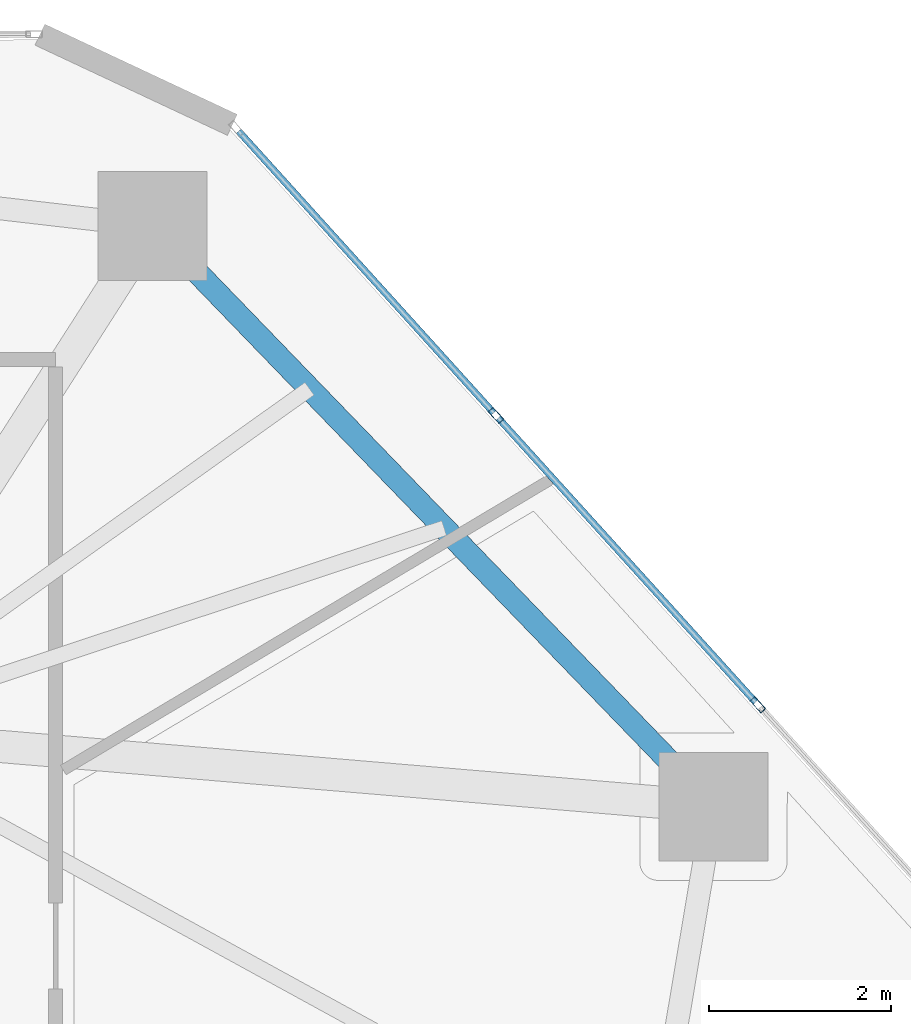
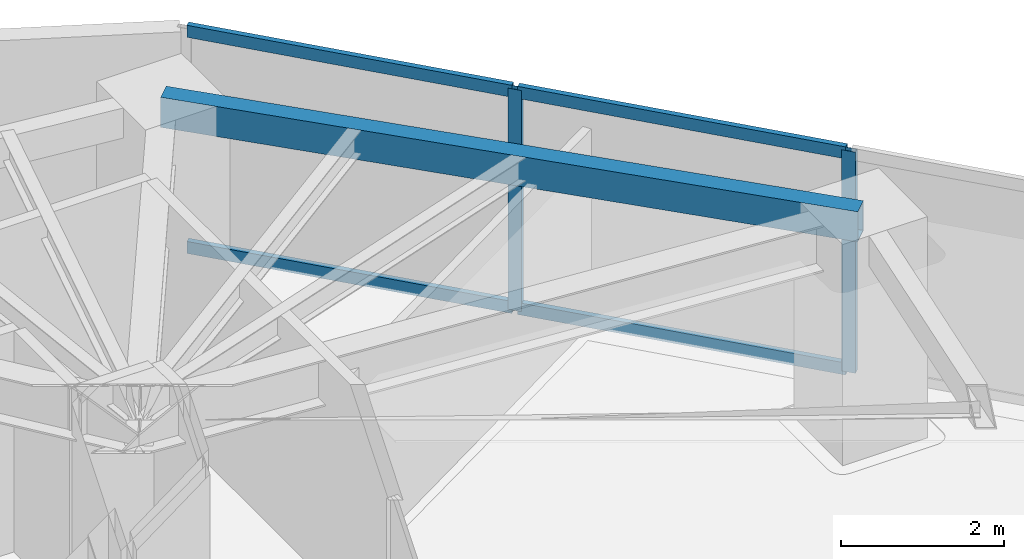
# One storey, part 15 of 21: 6 members, 1 beam, 1 element without a shape of its own.
"""IFC4 building model written with IfcOpenShell, lengths in metres."""

from ifc_helpers import new_model, si_unit, direction, frame, origin, origin_2d, place, context, subcontext, project, spatial, hollow_rectangle, extrude, source, transform, mapped, material, layer, layer_set, material_profile, profile_set, type_object, type_shapes, element, aggregate, save


model = new_model("IFC4")

# Units and contexts
model_context = context("Model", 3, precision=1e-05, world=origin(), true_north=direction((0.0, 1.0)))
body_context = subcontext(model_context, "Body", "Model", "MODEL_VIEW")
ifc_project = project(units=[si_unit("LENGTHUNIT", "METRE"), si_unit("AREAUNIT", "SQUARE_METRE"), si_unit("VOLUMEUNIT", "CUBIC_METRE"), si_unit("PLANEANGLEUNIT", "RADIAN"), si_unit("MASSUNIT", "GRAM", prefix="KILO")], contexts=[model_context])

# Site, building, storey
site_placement = place(None, origin())
site = spatial("IfcSite", under=ifc_project, at=site_placement, CompositionType="ELEMENT")
building_placement = place(site_placement, origin())
building = spatial("IfcBuilding", under=site, at=building_placement, Name="Talar Marvaseh", CompositionType="ELEMENT")
storey_placement = place(building_placement, frame((0.0, 0.0, 93.0)))
storey = spatial("IfcBuildingStorey", under=building, at=storey_placement, Name="L23", CompositionType="ELEMENT", Elevation=93.0)

# Beam
ifc_material_1 = material(Name="Steel S355", Category="steel")
ifc_material_profile_1 = material_profile(ifc_material_1, hollow_rectangle(XDim=0.25, YDim=0.449951171875, WallThickness=0.01611328125, at=origin_2d()), Name="RHS450x250x16")
ifc_profile_set_1 = profile_set([ifc_material_profile_1], Name="Steel S355")
beam_type = type_object("IfcBeamType", Name="Zone 2 Perimeter Spandrel Beam RHS450x250x16", PredefinedType="SPANDREL", material=ifc_profile_set_1)
beam_placement = place(storey_placement, frame((36.865966796875, 42.470947265625, 3.0849609375), z_axis=(0.694796856243, -0.719206040405, 0.0), x_axis=(0.719206040405, 0.694796856243, 0.0)))
element("IfcBeam", 1, at=beam_placement, inside=storey, type_object=beam_type, Name="L23 Zone 2 Perimeter Spandrel Beam RHS450x250x16", PredefinedType="SPANDREL", context=body_context, shape_type="SweptSolid", body=[
    extrude(hollow_rectangle(XDim=0.25, YDim=0.449951171875, WallThickness=0.01611328125, at=origin_2d()), origin(), (0.0, 0.0, 1.0), 8.891845703125),
])

# Curtain wall, members
ifc_material_2 = material(Name="Architectural Aluminium", Category="aluminium")
ifc_layer = layer(ifc_material_2, 0.199951171875)
ifc_layer_set = layer_set([ifc_layer], Name="Architectural Aluminium")
curtain_wall_type = type_object("IfcCurtainWallType", Name="Unitised Acoustic Library Curtain Wall Z2", PredefinedType="NOTDEFINED", material=ifc_layer_set)
curtain_wall_placement = place(storey_placement, origin())
curtain_wall = element("IfcCurtainWall", 2, at=curtain_wall_placement, inside=storey, type_object=curtain_wall_type, Name="L23 Unitised Acoustic Library Curtain Wall Z2", PredefinedType="NOTDEFINED")
ifc_material_profile_2 = material_profile(ifc_material_2, hollow_rectangle(XDim=0.074951171875, YDim=0.179931640625, WallThickness=0.0048828125, at=origin_2d()), Name="RHS180x75x5")
ifc_profile_set_2 = profile_set([ifc_material_profile_2], Name="Architectural Aluminium")
member_type_1 = type_object("IfcMemberType", Name="Unitised Curtain Wall Standard Mullion RHS180x75x5", PredefinedType="MULLION", material=ifc_profile_set_2)
shared_shape_1 = source(origin(), body_context, "Body", "SweptSolid", [
    extrude(hollow_rectangle(XDim=0.074951171875, YDim=0.179931640625, WallThickness=0.0048828125, at=origin_2d()), origin(), (0.0, 0.0, 1.0), 3.31005859375),
])
type_shapes(member_type_1, [shared_shape_1])
member_1_placement = place(storey_placement, frame((40.64892578125, 40.38525390625, 0.0), z_axis=(0.0, 0.0, 1.0), x_axis=(0.741347372116, 0.67112150454, 0.0)))
member_1 = element("IfcMember", 3, at=member_1_placement, type_object=member_type_1, Name="CW-Z2 mullion 2", PredefinedType="MULLION", context=body_context, shape_type="MappedRepresentation", body=[
    mapped(shared_shape_1, transform((0.0, 0.0, 0.0), x_axis=(1.0, 0.0, 0.0), y_axis=(0.0, 1.0, 0.0), z_axis=(0.0, 0.0, 1.0), scale=1.0)),
])
member_2_placement = place(storey_placement, frame((43.533447265625, 37.198974609375, 0.0), z_axis=(0.0, 0.0, 1.0), x_axis=(0.741347372116, 0.67112150454, 0.0)))
member_2 = element("IfcMember", 4, at=member_2_placement, type_object=member_type_1, Name="CW-Z2 mullion 3", PredefinedType="MULLION", context=body_context, shape_type="MappedRepresentation", body=[
    mapped(shared_shape_1, transform((0.0, 0.0, 0.0), x_axis=(1.0, 0.0, 0.0), y_axis=(0.0, 1.0, 0.0), z_axis=(0.0, 0.0, 1.0), scale=1.0)),
])
ifc_material_profile_3 = material_profile(ifc_material_2, hollow_rectangle(XDim=0.074951171875, YDim=0.179931640625, WallThickness=0.0048828125, at=origin_2d()), Name="RHS180x75x5")
ifc_profile_set_3 = profile_set([ifc_material_profile_3], Name="Architectural Aluminium")
member_type_2 = type_object("IfcMemberType", Name="Unitised Curtain Wall Transom RHS180x75x5", PredefinedType="USERDEFINED", material=ifc_profile_set_3)
shared_shape_2 = source(origin(), body_context, "Body", "SweptSolid", [
    extrude(hollow_rectangle(XDim=0.074951171875, YDim=0.179931640625, WallThickness=0.0048828125, at=origin_2d()), origin(), (0.0, 0.0, 1.0), 4.185302734375),
])
member_3_placement = place(storey_placement, frame((37.81494140625, 43.515869140625, 0.03759765625), z_axis=(0.67111797208, -0.741350569941, 0.0), x_axis=(0.741350569941, 0.67111797208, 0.0)))
member_3 = element("IfcMember", 5, at=member_3_placement, type_object=member_type_2, Name="CW-Z2 transom 1.1", ObjectType="TRANSOM", PredefinedType="USERDEFINED", context=body_context, shape_type="MappedRepresentation", body=[
    mapped(shared_shape_2, transform((0.0, 0.0, 0.0), x_axis=(1.0, 0.0, 0.0), y_axis=(0.0, 1.0, 0.0), z_axis=(0.0, 0.0, 1.0), scale=1.0)),
])
member_4_placement = place(storey_placement, frame((37.81494140625, 43.515869140625, 3.2724609375), z_axis=(0.67111797208, -0.741350569941, 0.0), x_axis=(0.741350569941, 0.67111797208, 0.0)))
member_4 = element("IfcMember", 6, at=member_4_placement, type_object=member_type_2, Name="CW-Z2 transom 1.2", ObjectType="TRANSOM", PredefinedType="USERDEFINED", context=body_context, shape_type="MappedRepresentation", body=[
    mapped(shared_shape_2, transform((0.0, 0.0, 0.0), x_axis=(1.0, 0.0, 0.0), y_axis=(0.0, 1.0, 0.0), z_axis=(0.0, 0.0, 1.0), scale=1.0)),
])
shared_shape_3 = source(origin(), body_context, "Body", "SweptSolid", [
    extrude(hollow_rectangle(XDim=0.074951171875, YDim=0.179931640625, WallThickness=0.0048828125, at=origin_2d()), origin(), (0.0, 0.0, 1.0), 4.222900390625),
])
type_shapes(member_type_2, [shared_shape_2, shared_shape_3])
member_5_placement = place(storey_placement, frame((40.674072265625, 40.357421875, 0.03759765625), z_axis=(0.671143387644, -0.741327561354, 0.0), x_axis=(0.741327561354, 0.671143387644, 0.0)))
member_5 = element("IfcMember", 7, at=member_5_placement, type_object=member_type_2, Name="CW-Z2 transom 2.1", ObjectType="TRANSOM", PredefinedType="USERDEFINED", context=body_context, shape_type="MappedRepresentation", body=[
    mapped(shared_shape_3, transform((0.0, 0.0, 0.0), x_axis=(1.0, 0.0, 0.0), y_axis=(0.0, 1.0, 0.0), z_axis=(0.0, 0.0, 1.0), scale=1.0)),
])
member_6_placement = place(storey_placement, frame((40.674072265625, 40.357421875, 3.2724609375), z_axis=(0.671143387644, -0.741327561354, 0.0), x_axis=(0.741327561354, 0.671143387644, 0.0)))
member_6 = element("IfcMember", 8, at=member_6_placement, type_object=member_type_2, Name="CW-Z2 transom 2.2", ObjectType="TRANSOM", PredefinedType="USERDEFINED", context=body_context, shape_type="MappedRepresentation", body=[
    mapped(shared_shape_3, transform((0.0, 0.0, 0.0), x_axis=(1.0, 0.0, 0.0), y_axis=(0.0, 1.0, 0.0), z_axis=(0.0, 0.0, 1.0), scale=1.0)),
])
aggregate(curtain_wall, [member_1, member_2, member_3, member_4, member_5, member_6])

save(model, "model.ifc")
